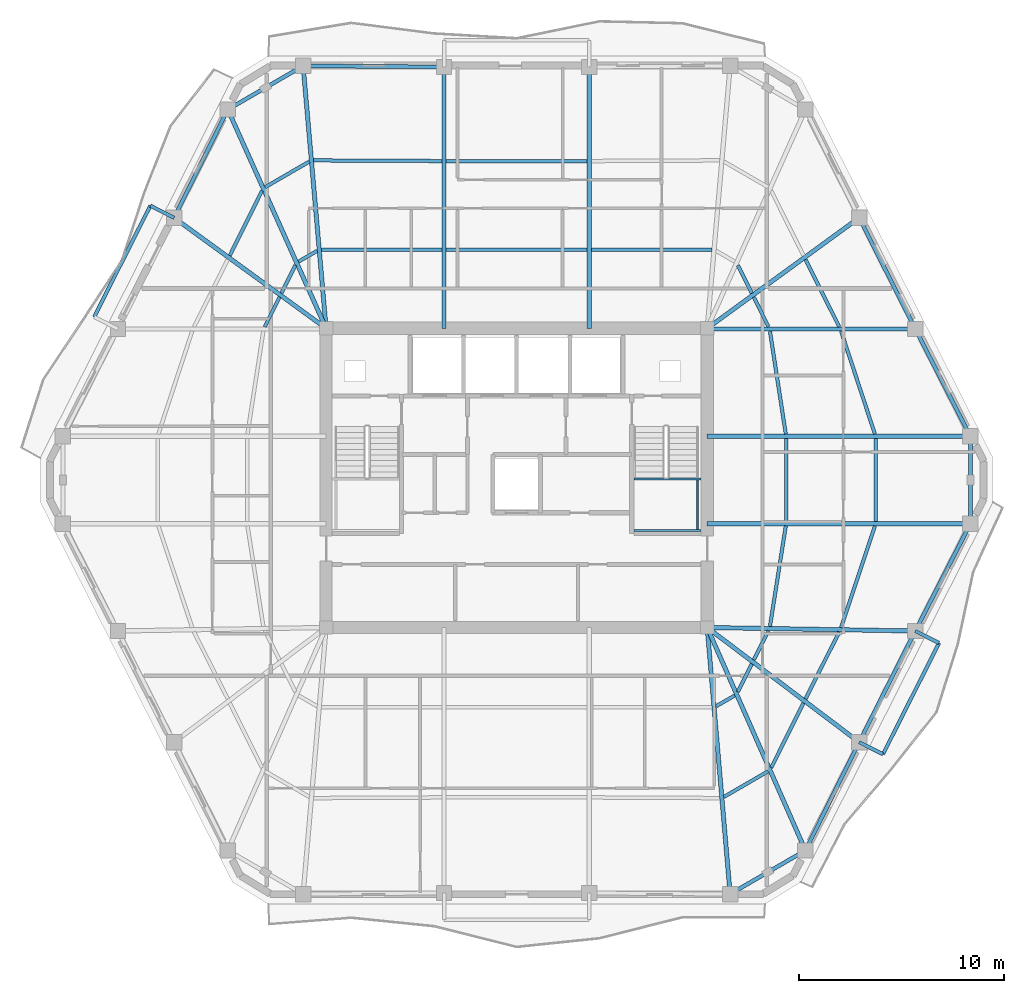
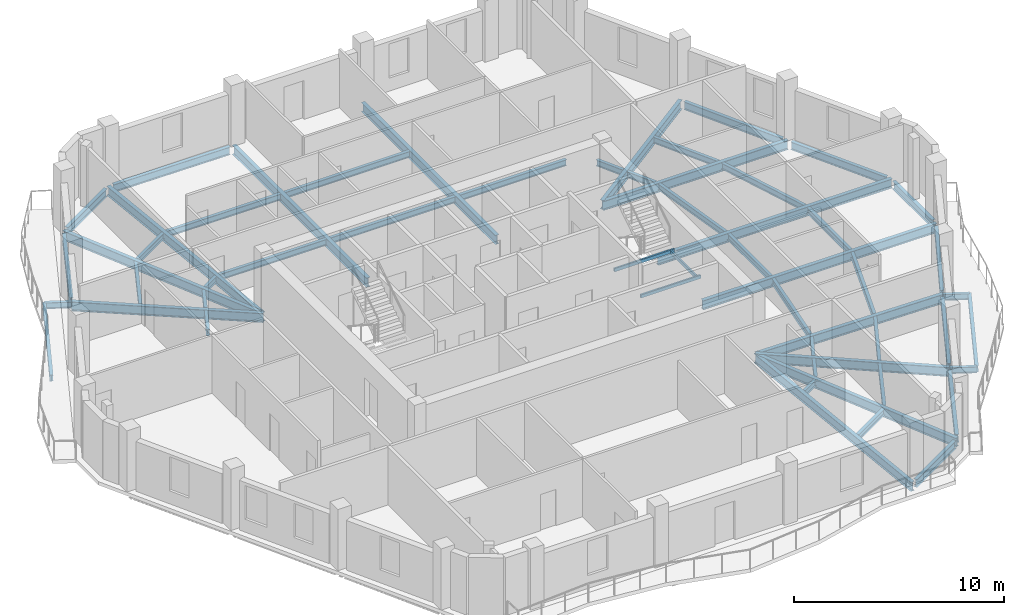
# One storey, part 2 of 9: 56 beams.
"""IFC4 building model written with IfcOpenShell, lengths in metres."""

from ifc_helpers import new_model, si_unit, direction, frame, origin, origin_2d, place, context, subcontext, project, spatial, hollow_rectangle, i_section, extrude, material, material_profile, profile_set, type_object, element, save


model = new_model("IFC4")

# Units and contexts
model_context = context("Model", 3, precision=1e-05, world=origin(), true_north=direction((0.0, 1.0)))
body_context = subcontext(model_context, "Body", "Model", "MODEL_VIEW")
ifc_project = project(units=[si_unit("LENGTHUNIT", "METRE"), si_unit("AREAUNIT", "SQUARE_METRE"), si_unit("VOLUMEUNIT", "CUBIC_METRE"), si_unit("PLANEANGLEUNIT", "RADIAN"), si_unit("MASSUNIT", "GRAM", prefix="KILO")], contexts=[model_context])

# Site, building, storey
site_placement = place(None, origin())
site = spatial("IfcSite", under=ifc_project, at=site_placement, CompositionType="ELEMENT")
building_placement = place(site_placement, origin())
building = spatial("IfcBuilding", under=site, at=building_placement, Name="Cinnabar Lancet Tower", CompositionType="ELEMENT")
storey_placement = place(building_placement, frame((0.0, 0.0, 207.39990234375)))
storey = spatial("IfcBuildingStorey", under=building, at=storey_placement, Name="L55", CompositionType="ELEMENT", Elevation=207.39990234375)

# Beams
ifc_material_1 = material(Name="Structural steel S355", Category="steel")
ifc_material_profile_1 = material_profile(ifc_material_1, i_section(OverallWidth=0.17138671875, OverallDepth=0.35498046875, WebThickness=0.00732421875, FlangeThickness=0.011474609375, FilletRadius=0.01025390625, at=origin_2d()), Name="UKB 356x171x51")
ifc_profile_set_1 = profile_set([ifc_material_profile_1], Name="Structural steel S355")
beam_type_1 = type_object("IfcBeamType", Name="STR-BM-JST-356", PredefinedType="JOIST", material=ifc_profile_set_1)
beam_1_placement = place(storey_placement, frame((42.51708984375, 10.3310546875, -0.3779296875), z_axis=(0.865267839663, 0.501309849937, 0.0), x_axis=(-0.501309849937, 0.865267839663, 0.0)))
element("IfcBeam", 1, at=beam_1_placement, inside=storey, type_object=beam_type_1, Name="L55 Secondary Floor Joist 15", PredefinedType="JOIST", context=body_context, shape_type="SweptSolid", body=[
    extrude(i_section(OverallWidth=0.17138671875, OverallDepth=0.35498046875, WebThickness=0.00732421875, FlangeThickness=0.011474609375, FilletRadius=0.01025390625, at=origin_2d()), origin(), (0.0, 0.0, 1.0), 2.497314453125),
])
beam_2_placement = place(storey_placement, frame((42.135986328125, 14.7548828125, -0.3779296875), z_axis=(0.8651881055, 0.501447446998, 0.0), x_axis=(-0.501447446998, 0.8651881055, 0.0)))
element("IfcBeam", 2, at=beam_2_placement, inside=storey, type_object=beam_type_1, Name="L55 Secondary Floor Joist 16", PredefinedType="JOIST", context=body_context, shape_type="SweptSolid", body=[
    extrude(i_section(OverallWidth=0.17138671875, OverallDepth=0.35498046875, WebThickness=0.00732421875, FlangeThickness=0.011474609375, FilletRadius=0.01025390625, at=origin_2d()), origin(), (0.0, 0.0, 1.0), 1.05322265625),
])
beam_3_placement = place(storey_placement, frame((44.8291015625, 11.758056640625, -0.3779296875), z_axis=(0.445027906173, 0.895516701534, 0.0), x_axis=(-0.895516701534, 0.445027906173, 0.0)))
element("IfcBeam", 3, at=beam_3_placement, inside=storey, type_object=beam_type_1, Name="L55 Secondary Floor Joist 17", PredefinedType="JOIST", context=body_context, shape_type="SweptSolid", body=[
    extrude(i_section(OverallWidth=0.17138671875, OverallDepth=0.35498046875, WebThickness=0.00732421875, FlangeThickness=0.011474609375, FilletRadius=0.01025390625, at=origin_2d()), origin(), (0.0, 0.0, 1.0), 3.531982421875),
])
beam_4_placement = place(storey_placement, frame((43.198974609375, 15.45703125, -0.3779296875), z_axis=(0.444589856968, 0.895734256954, 0.0), x_axis=(-0.895734256954, 0.444589856968, 0.0)))
element("IfcBeam", 4, at=beam_4_placement, inside=storey, type_object=beam_type_1, Name="L55 Secondary Floor Joist 18", PredefinedType="JOIST", context=body_context, shape_type="SweptSolid", body=[
    extrude(i_section(OverallWidth=0.17138671875, OverallDepth=0.35498046875, WebThickness=0.00732421875, FlangeThickness=0.011474609375, FilletRadius=0.01025390625, at=origin_2d()), origin(), (0.0, 0.0, 1.0), 1.527099609375),
])
beam_5_placement = place(storey_placement, frame((46.49609375, 15.112060546875, -0.3779296875), z_axis=(0.450564728728, 0.892743762357, 0.0), x_axis=(-0.892743762357, 0.450564728728, 0.0)))
element("IfcBeam", 5, at=beam_5_placement, inside=storey, type_object=beam_type_1, Name="L55 Secondary Floor Joist 19", PredefinedType="JOIST", context=body_context, shape_type="SweptSolid", body=[
    extrude(i_section(OverallWidth=0.17138671875, OverallDepth=0.35498046875, WebThickness=0.00732421875, FlangeThickness=0.011474609375, FilletRadius=0.01025390625, at=origin_2d()), origin(), (0.0, 0.0, 1.0), 3.66845703125),
])
beam_6_placement = place(storey_placement, frame((43.97412109375, 17.014892578125, -0.3779296875), z_axis=(0.450137936259, 0.892959035085, 0.0), x_axis=(-0.892959035085, 0.450137936259, 0.0)))
element("IfcBeam", 6, at=beam_6_placement, inside=storey, type_object=beam_type_1, Name="L55 Secondary Floor Joist 20", PredefinedType="JOIST", context=body_context, shape_type="SweptSolid", body=[
    extrude(i_section(OverallWidth=0.17138671875, OverallDepth=0.35498046875, WebThickness=0.00732421875, FlangeThickness=0.011474609375, FilletRadius=0.01025390625, at=origin_2d()), origin(), (0.0, 0.0, 1.0), 1.6015625),
])
beam_7_placement = place(storey_placement, frame((48.236083984375, 18.594970703125, -0.3779296875), z_axis=(0.315346227037, 0.948976689436, 0.0), x_axis=(-0.948976689436, 0.315346227037, 0.0)))
element("IfcBeam", 7, at=beam_7_placement, inside=storey, type_object=beam_type_1, Name="L55 Secondary Floor Joist 21", PredefinedType="JOIST", context=body_context, shape_type="SweptSolid", body=[
    extrude(i_section(OverallWidth=0.17138671875, OverallDepth=0.35498046875, WebThickness=0.00732421875, FlangeThickness=0.011474609375, FilletRadius=0.01025390625, at=origin_2d()), origin(), (0.0, 0.0, 1.0), 5.235107421875),
])
beam_8_placement = place(storey_placement, frame((44.763916015625, 18.653076171875, -0.3779296875), z_axis=(0.155750702097, 0.987796395416, 0.0), x_axis=(-0.987796395416, 0.155750702097, 0.0)))
element("IfcBeam", 8, at=beam_8_placement, inside=storey, type_object=beam_type_1, Name="L55 Secondary Floor Joist 22", PredefinedType="JOIST", context=body_context, shape_type="SweptSolid", body=[
    extrude(i_section(OverallWidth=0.17138671875, OverallDepth=0.35498046875, WebThickness=0.00732421875, FlangeThickness=0.011474609375, FilletRadius=0.01025390625, at=origin_2d()), origin(), (0.0, 0.0, 1.0), 4.970458984375),
])
for number, where, z_axis, x_axis, name in (
    (9, (49.922119140625, 23.77294921875, -0.3779296875), (0.0, 1.0, 0.0), (-1.0, 0.0, 0.0), "L55 Secondary Floor Joist 23"),
    (10, (45.553955078125, 23.77294921875, -0.3779296875), (0.0, 1.0, 0.0), (-1.0, 0.0, 0.0), "L55 Secondary Floor Joist 24"),
):
    element("IfcBeam", number, at=place(storey_placement, frame(where, z_axis=z_axis, x_axis=x_axis)), inside=storey, type_object=beam_type_1, Name=name, PredefinedType="JOIST", context=body_context, shape_type="SweptSolid", body=[
        extrude(i_section(OverallWidth=0.17138671875, OverallDepth=0.35498046875, WebThickness=0.00732421875, FlangeThickness=0.011474609375, FilletRadius=0.01025390625, at=origin_2d()), origin(), (0.0, 0.0, 1.0), 4.053955078125),
    ])
beam_9_placement = place(storey_placement, frame((49.887939453125, 28.037109375, -0.3779296875), z_axis=(-0.312240109925, 0.95000321776, 0.0), x_axis=(-0.95000321776, -0.312240109925, 0.0)))
element("IfcBeam", 11, at=beam_9_placement, inside=storey, type_object=beam_type_1, Name="L55 Secondary Floor Joist 25", PredefinedType="JOIST", context=body_context, shape_type="SweptSolid", body=[
    extrude(i_section(OverallWidth=0.17138671875, OverallDepth=0.35498046875, WebThickness=0.00732421875, FlangeThickness=0.011474609375, FilletRadius=0.01025390625, at=origin_2d()), origin(), (0.0, 0.0, 1.0), 5.29345703125),
])
beam_10_placement = place(storey_placement, frame((45.5380859375, 28.037109375, -0.3779296875), z_axis=(-0.152154536592, 0.98835671546, 0.0), x_axis=(-0.98835671546, -0.152154536592, 0.0)))
element("IfcBeam", 12, at=beam_10_placement, inside=storey, type_object=beam_type_1, Name="L55 Secondary Floor Joist 26", PredefinedType="JOIST", context=body_context, shape_type="SweptSolid", body=[
    extrude(i_section(OverallWidth=0.17138671875, OverallDepth=0.35498046875, WebThickness=0.00732421875, FlangeThickness=0.011474609375, FilletRadius=0.01025390625, at=origin_2d()), origin(), (0.0, 0.0, 1.0), 5.088134765625),
])
beam_11_placement = place(storey_placement, frame((48.14794921875, 33.27587890625, -0.3779296875), z_axis=(-0.449230875134, 0.893415704376, 0.0), x_axis=(-0.893415704376, -0.449230875134, 0.0)))
element("IfcBeam", 13, at=beam_11_placement, inside=storey, type_object=beam_type_1, Name="L55 Secondary Floor Joist 27", PredefinedType="JOIST", context=body_context, shape_type="SweptSolid", body=[
    extrude(i_section(OverallWidth=0.17138671875, OverallDepth=0.35498046875, WebThickness=0.00732421875, FlangeThickness=0.011474609375, FilletRadius=0.01025390625, at=origin_2d()), origin(), (0.0, 0.0, 1.0), 3.677001953125),
])
beam_12_placement = place(storey_placement, frame((44.695068359375, 33.27587890625, -0.3779296875), z_axis=(-0.446006949597, 0.89502949723, 0.0), x_axis=(-0.89502949723, -0.446006949597, 0.0)))
element("IfcBeam", 14, at=beam_12_placement, inside=storey, type_object=beam_type_1, Name="L55 Secondary Floor Joist 28", PredefinedType="JOIST", context=body_context, shape_type="SweptSolid", body=[
    extrude(i_section(OverallWidth=0.17138671875, OverallDepth=0.35498046875, WebThickness=0.00732421875, FlangeThickness=0.011474609375, FilletRadius=0.01025390625, at=origin_2d()), origin(), (0.0, 0.0, 1.0), 1.619140625),
])
beam_13_placement = place(storey_placement, frame((43.8779296875, 34.9150390625, -0.3779296875), z_axis=(-0.444589856968, 0.895734256954, 0.0), x_axis=(-0.895734256954, -0.444589856968, 0.0)))
element("IfcBeam", 15, at=beam_13_placement, inside=storey, type_object=beam_type_1, Name="L55 Secondary Floor Joist 30", PredefinedType="JOIST", context=body_context, shape_type="SweptSolid", body=[
    extrude(i_section(OverallWidth=0.17138671875, OverallDepth=0.35498046875, WebThickness=0.00732421875, FlangeThickness=0.011474609375, FilletRadius=0.01025390625, at=origin_2d()), origin(), (0.0, 0.0, 1.0), 1.527099609375),
])
beam_14_placement = place(storey_placement, frame((41.930908203125, 37.04296875, -0.3779296875), z_axis=(-0.999996795667, -0.002531532393, 0.0), x_axis=(0.002531532393, -0.999996795667, 0.0)))
element("IfcBeam", 16, at=beam_14_placement, inside=storey, type_object=beam_type_1, Name="L55 Secondary Floor Joist 34", PredefinedType="JOIST", context=body_context, shape_type="SweptSolid", body=[
    extrude(i_section(OverallWidth=0.17138671875, OverallDepth=0.35498046875, WebThickness=0.00732421875, FlangeThickness=0.011474609375, FilletRadius=0.01025390625, at=origin_2d()), origin(), (0.0, 0.0, 1.0), 5.8828125),
])
for number, where, z_axis, x_axis, name in (
    (17, (35.837890625, 41.364990234375, -0.3779296875), (-1.0, 0.0, 0.0), (0.0, -1.0, 0.0), "L55 Secondary Floor Joist 35"),
    (18, (35.837890625, 37.027099609375, -0.3779296875), (-1.0, 0.0, 0.0), (0.0, -1.0, 0.0), "L55 Secondary Floor Joist 36"),
):
    element("IfcBeam", number, at=place(storey_placement, frame(where, z_axis=z_axis, x_axis=x_axis)), inside=storey, type_object=beam_type_1, Name=name, PredefinedType="JOIST", context=body_context, shape_type="SweptSolid", body=[
        extrude(i_section(OverallWidth=0.17138671875, OverallDepth=0.35498046875, WebThickness=0.00732421875, FlangeThickness=0.011474609375, FilletRadius=0.01025390625, at=origin_2d()), origin(), (0.0, 0.0, 1.0), 6.8759765625),
    ])
beam_15_placement = place(storey_placement, frame((28.751953125, 41.365966796875, -0.3779296875), z_axis=(-0.999986965561, 0.005105752523, 0.0), x_axis=(-0.005105752523, -0.999986965561, 0.0)))
element("IfcBeam", 19, at=beam_15_placement, inside=storey, type_object=beam_type_1, Name="L55 Secondary Floor Joist 37", PredefinedType="JOIST", context=body_context, shape_type="SweptSolid", body=[
    extrude(i_section(OverallWidth=0.17138671875, OverallDepth=0.35498046875, WebThickness=0.00732421875, FlangeThickness=0.011474609375, FilletRadius=0.01025390625, at=origin_2d()), origin(), (0.0, 0.0, 1.0), 6.263916015625),
])
beam_16_placement = place(storey_placement, frame((28.751953125, 37.028076171875, -0.3779296875), z_axis=(-0.999996795933, 0.002531427338, 0.0), x_axis=(-0.002531427338, -0.999996795933, 0.0)))
element("IfcBeam", 20, at=beam_16_placement, inside=storey, type_object=beam_type_1, Name="L55 Secondary Floor Joist 38", PredefinedType="JOIST", context=body_context, shape_type="SweptSolid", body=[
    extrude(i_section(OverallWidth=0.17138671875, OverallDepth=0.35498046875, WebThickness=0.00732421875, FlangeThickness=0.011474609375, FilletRadius=0.01025390625, at=origin_2d()), origin(), (0.0, 0.0, 1.0), 5.883056640625),
])
beam_17_placement = place(storey_placement, frame((22.282958984375, 41.341064453125, -0.3779296875), z_axis=(-0.865267839663, -0.501309849937, 0.0), x_axis=(0.501309849937, -0.865267839663, 0.0)))
element("IfcBeam", 21, at=beam_17_placement, inside=storey, type_object=beam_type_1, Name="L55 Secondary Floor Joist 39", PredefinedType="JOIST", context=body_context, shape_type="SweptSolid", body=[
    extrude(i_section(OverallWidth=0.17138671875, OverallDepth=0.35498046875, WebThickness=0.00732421875, FlangeThickness=0.011474609375, FilletRadius=0.01025390625, at=origin_2d()), origin(), (0.0, 0.0, 1.0), 2.497314453125),
])
beam_18_placement = place(storey_placement, frame((22.6640625, 36.985107421875, -0.3779296875), z_axis=(-0.8651881055, -0.501447446998, 0.0), x_axis=(0.501447446998, -0.8651881055, 0.0)))
element("IfcBeam", 22, at=beam_18_placement, inside=storey, type_object=beam_type_1, Name="L55 Secondary Floor Joist 40", PredefinedType="JOIST", context=body_context, shape_type="SweptSolid", body=[
    extrude(i_section(OverallWidth=0.17138671875, OverallDepth=0.35498046875, WebThickness=0.00732421875, FlangeThickness=0.011474609375, FilletRadius=0.01025390625, at=origin_2d()), origin(), (0.0, 0.0, 1.0), 1.05322265625),
])
beam_19_placement = place(storey_placement, frame((19.970947265625, 39.9150390625, -0.3779296875), z_axis=(-0.444835507887, -0.895612288283, 0.0), x_axis=(0.895612288283, -0.444835507887, 0.0)))
element("IfcBeam", 23, at=beam_19_placement, inside=storey, type_object=beam_type_1, Name="L55 Secondary Floor Joist 41", PredefinedType="JOIST", context=body_context, shape_type="SweptSolid", body=[
    extrude(i_section(OverallWidth=0.17138671875, OverallDepth=0.35498046875, WebThickness=0.00732421875, FlangeThickness=0.011474609375, FilletRadius=0.01025390625, at=origin_2d()), origin(), (0.0, 0.0, 1.0), 3.533935546875),
])
beam_20_placement = place(storey_placement, frame((21.60107421875, 36.282958984375, -0.3779296875), z_axis=(-0.444589856968, -0.895734256954, 0.0), x_axis=(0.895734256954, -0.444589856968, 0.0)))
element("IfcBeam", 24, at=beam_20_placement, inside=storey, type_object=beam_type_1, Name="L55 Secondary Floor Joist 42", PredefinedType="JOIST", context=body_context, shape_type="SweptSolid", body=[
    extrude(i_section(OverallWidth=0.17138671875, OverallDepth=0.35498046875, WebThickness=0.00732421875, FlangeThickness=0.011474609375, FilletRadius=0.01025390625, at=origin_2d()), origin(), (0.0, 0.0, 1.0), 1.527099609375),
])
beam_21_placement = place(storey_placement, frame((20.826904296875, 34.72509765625, -0.3779296875), z_axis=(-0.44588615098, -0.895089682861, 0.0), x_axis=(0.895089682861, -0.44588615098, 0.0)))
element("IfcBeam", 25, at=beam_21_placement, inside=storey, type_object=beam_type_1, Name="L55 Secondary Floor Joist 44", PredefinedType="JOIST", context=body_context, shape_type="SweptSolid", body=[
    extrude(i_section(OverallWidth=0.17138671875, OverallDepth=0.35498046875, WebThickness=0.00732421875, FlangeThickness=0.011474609375, FilletRadius=0.01025390625, at=origin_2d()), origin(), (0.0, 0.0, 1.0), 1.619140625),
])
ifc_material_2 = material(Name="Structural steel S355", Category="steel")
ifc_material_profile_2 = material_profile(ifc_material_2, hollow_rectangle(XDim=0.10009765625, YDim=0.199951171875, WallThickness=0.008056640625, InnerFilletRadius=0.00390625, OuterFilletRadius=0.011962890625, at=origin_2d()), Name="RHS 200x100x8")
ifc_profile_set_2 = profile_set([ifc_material_profile_2], Name="Structural steel S355")
beam_type_2 = type_object("IfcBeamType", Name="STR-BM-LND-203", PredefinedType="BEAM", material=ifc_profile_set_2)
for number, where, z_axis, x_axis, name in (
    (26, (38.1201171875, 23.330078125, 1.47509765625), (1.0, 0.0, 0.0), (0.0, 1.0, 0.0), "L55 ST-2-L55 Landing Support Beam S"),
    (27, (38.1201171875, 25.844970703125, 1.47509765625), (1.0, 0.0, 0.0), (0.0, 1.0, 0.0), "L55 ST-2-L55 Landing Support Beam N"),
):
    element("IfcBeam", number, at=place(storey_placement, frame(where, z_axis=z_axis, x_axis=x_axis)), inside=storey, type_object=beam_type_2, Name=name, PredefinedType="BEAM", context=body_context, shape_type="SweptSolid", body=[
        extrude(hollow_rectangle(XDim=0.10009765625, YDim=0.199951171875, WallThickness=0.008056640625, InnerFilletRadius=0.00390625, OuterFilletRadius=0.011962890625, at=origin_2d()), origin(), (0.0, 0.0, 1.0), 3.27978515625),
    ])
beam_22_placement = place(storey_placement, frame((41.219970703125, 23.3798828125, 1.47509765625), z_axis=(0.0, 1.0, 0.0), x_axis=(-1.0, 0.0, 0.0)))
element("IfcBeam", 28, at=beam_22_placement, inside=storey, type_object=beam_type_2, Name="L55 ST-2-L55 Landing Side Trimmer Beam", PredefinedType="BEAM", context=body_context, shape_type="SweptSolid", body=[
    extrude(hollow_rectangle(XDim=0.10009765625, YDim=0.199951171875, WallThickness=0.008056640625, InnerFilletRadius=0.00390625, OuterFilletRadius=0.011962890625, at=origin_2d()), origin(), (0.0, 0.0, 1.0), 2.4150390625),
])
ifc_material_3 = material(Name="Structural steel S355", Category="steel")
ifc_material_profile_3 = material_profile(ifc_material_3, i_section(OverallWidth=0.1904296875, OverallDepth=0.45703125, WebThickness=0.009033203125, FlangeThickness=0.014404296875, FilletRadius=0.01025390625, at=origin_2d()), Name="UKB 457x191x74")
ifc_profile_set_3 = profile_set([ifc_material_profile_3], Name="Structural steel S355")
beam_type_3 = type_object("IfcBeamType", Name="STR-BM-SPN-457", PredefinedType="SPANDREL", material=ifc_profile_set_3)
beam_23_placement = place(storey_placement, frame((43.037109375, 5.714111328125, -0.428955078125), z_axis=(0.865195717586, 0.501434313016, 0.0), x_axis=(-0.501434313016, 0.865195717586, 0.0)))
element("IfcBeam", 29, at=beam_23_placement, inside=storey, type_object=beam_type_3, Name="L55 Perimeter Spandrel 4", PredefinedType="SPANDREL", context=body_context, shape_type="SweptSolid", body=[
    extrude(i_section(OverallWidth=0.1904296875, OverallDepth=0.45703125, WebThickness=0.009033203125, FlangeThickness=0.014404296875, FilletRadius=0.01025390625, at=origin_2d()), origin(), (0.0, 0.0, 1.0), 3.7470703125),
])
beam_24_placement = place(storey_placement, frame((46.60595703125, 7.94189453125, -0.428955078125), z_axis=(0.444914968367, 0.895572817208, 0.0), x_axis=(-0.895572817208, 0.444914968367, 0.0)))
element("IfcBeam", 30, at=beam_24_placement, inside=storey, type_object=beam_type_3, Name="L55 Perimeter Spandrel 5", PredefinedType="SPANDREL", context=body_context, shape_type="SweptSolid", body=[
    extrude(i_section(OverallWidth=0.1904296875, OverallDepth=0.45703125, WebThickness=0.009033203125, FlangeThickness=0.014404296875, FilletRadius=0.01025390625, at=origin_2d()), origin(), (0.0, 0.0, 1.0), 5.39892578125),
])
beam_25_placement = place(storey_placement, frame((49.23193359375, 13.22412109375, -0.428955078125), z_axis=(0.450395996562, 0.892828900899, 0.0), x_axis=(-0.892828900899, 0.450395996562, 0.0)))
element("IfcBeam", 31, at=beam_25_placement, inside=storey, type_object=beam_type_3, Name="L55 Perimeter Spandrel 6", PredefinedType="SPANDREL", context=body_context, shape_type="SweptSolid", body=[
    extrude(i_section(OverallWidth=0.1904296875, OverallDepth=0.45703125, WebThickness=0.009033203125, FlangeThickness=0.014404296875, FilletRadius=0.01025390625, at=origin_2d()), origin(), (0.0, 0.0, 1.0), 5.579833984375),
])
beam_26_placement = place(storey_placement, frame((51.971923828125, 18.65087890625, -0.428955078125), z_axis=(0.456628362232, 0.889657540184, 0.0), x_axis=(-0.889657540184, 0.456628362232, 0.0)))
element("IfcBeam", 32, at=beam_26_placement, inside=storey, type_object=beam_type_3, Name="L55 Perimeter Spandrel 7", PredefinedType="SPANDREL", context=body_context, shape_type="SweptSolid", body=[
    extrude(i_section(OverallWidth=0.1904296875, OverallDepth=0.45703125, WebThickness=0.009033203125, FlangeThickness=0.014404296875, FilletRadius=0.01025390625, at=origin_2d()), origin(), (0.0, 0.0, 1.0), 5.389892578125),
])
beam_27_placement = place(storey_placement, frame((54.547119140625, 23.91796875, -0.428955078125), z_axis=(0.0, 1.0, 0.0), x_axis=(-1.0, 0.0, 0.0)))
element("IfcBeam", 33, at=beam_27_placement, inside=storey, type_object=beam_type_3, Name="L55 Perimeter Spandrel 8", PredefinedType="SPANDREL", context=body_context, shape_type="SweptSolid", body=[
    extrude(i_section(OverallWidth=0.1904296875, OverallDepth=0.45703125, WebThickness=0.009033203125, FlangeThickness=0.014404296875, FilletRadius=0.01025390625, at=origin_2d()), origin(), (0.0, 0.0, 1.0), 3.763916015625),
])
beam_28_placement = place(storey_placement, frame((54.43310546875, 28.154052734375, -0.428955078125), z_axis=(-0.456646764028, 0.889648094981, 0.0), x_axis=(-0.889648094981, -0.456646764028, 0.0)))
element("IfcBeam", 34, at=beam_28_placement, inside=storey, type_object=beam_type_3, Name="L55 Perimeter Spandrel 9", PredefinedType="SPANDREL", context=body_context, shape_type="SweptSolid", body=[
    extrude(i_section(OverallWidth=0.1904296875, OverallDepth=0.45703125, WebThickness=0.009033203125, FlangeThickness=0.014404296875, FilletRadius=0.01025390625, at=origin_2d()), origin(), (0.0, 0.0, 1.0), 5.3896484375),
])
beam_29_placement = place(storey_placement, frame((51.7451171875, 33.39404296875, -0.428955078125), z_axis=(-0.450395996562, 0.892828900899, 0.0), x_axis=(-0.892828900899, -0.450395996562, 0.0)))
element("IfcBeam", 35, at=beam_29_placement, inside=storey, type_object=beam_type_3, Name="L55 Perimeter Spandrel 10", PredefinedType="SPANDREL", context=body_context, shape_type="SweptSolid", body=[
    extrude(i_section(OverallWidth=0.1904296875, OverallDepth=0.45703125, WebThickness=0.009033203125, FlangeThickness=0.014404296875, FilletRadius=0.01025390625, at=origin_2d()), origin(), (0.0, 0.0, 1.0), 5.579833984375),
])
beam_30_placement = place(storey_placement, frame((28.60693359375, 45.9599609375, -0.428955078125), z_axis=(-0.999970401924, 0.007693846685, 0.0), x_axis=(-0.007693846685, -0.999970401924, 0.0)))
element("IfcBeam", 36, at=beam_30_placement, inside=storey, type_object=beam_type_3, Name="L55 Perimeter Spandrel 15", PredefinedType="SPANDREL", context=body_context, shape_type="SweptSolid", body=[
    extrude(i_section(OverallWidth=0.1904296875, OverallDepth=0.45703125, WebThickness=0.009033203125, FlangeThickness=0.014404296875, FilletRadius=0.01025390625, at=origin_2d()), origin(), (0.0, 0.0, 1.0), 6.378173828125),
])
beam_31_placement = place(storey_placement, frame((21.762939453125, 45.885986328125, -0.428955078125), z_axis=(-0.865195717586, -0.501434313016, 0.0), x_axis=(0.501434313016, -0.865195717586, 0.0)))
element("IfcBeam", 37, at=beam_31_placement, inside=storey, type_object=beam_type_3, Name="L55 Perimeter Spandrel 16", PredefinedType="SPANDREL", context=body_context, shape_type="SweptSolid", body=[
    extrude(i_section(OverallWidth=0.1904296875, OverallDepth=0.45703125, WebThickness=0.009033203125, FlangeThickness=0.014404296875, FilletRadius=0.01025390625, at=origin_2d()), origin(), (0.0, 0.0, 1.0), 3.7470703125),
])
beam_32_placement = place(storey_placement, frame((18.194091796875, 43.657958984375, -0.428955078125), z_axis=(-0.444932986899, -0.895563865489, 0.0), x_axis=(0.895563865489, -0.444932986899, 0.0)))
element("IfcBeam", 38, at=beam_32_placement, inside=storey, type_object=beam_type_3, Name="L55 Perimeter Spandrel 17", PredefinedType="SPANDREL", context=body_context, shape_type="SweptSolid", body=[
    extrude(i_section(OverallWidth=0.1904296875, OverallDepth=0.45703125, WebThickness=0.009033203125, FlangeThickness=0.014404296875, FilletRadius=0.01025390625, at=origin_2d()), origin(), (0.0, 0.0, 1.0), 5.398681640625),
])
ifc_material_4 = material(Name="Structural steel S355", Category="steel")
ifc_material_profile_4 = material_profile(ifc_material_4, i_section(OverallWidth=0.209228515625, OverallDepth=0.533203125, WebThickness=0.010009765625, FlangeThickness=0.015625, FilletRadius=0.0126953125, at=origin_2d()), Name="UKB 533x210x92")
ifc_profile_set_4 = profile_set([ifc_material_profile_4], Name="Structural steel S355")
beam_type_4 = type_object("IfcBeamType", Name="STR-BM-UKB533-92", PredefinedType="BEAM", material=ifc_profile_set_4)
beam_33_placement = place(storey_placement, frame((49.118896484375, 13.0009765625, -0.466796875), z_axis=(-0.798193439732, 0.602401222417, 0.0), x_axis=(-0.602401222417, -0.798193439732, 0.0)))
element("IfcBeam", 39, at=beam_33_placement, inside=storey, type_object=beam_type_4, Name="L55 Corner Collector Girder 2", PredefinedType="BEAM", context=body_context, shape_type="SweptSolid", body=[
    extrude(i_section(OverallWidth=0.209228515625, OverallDepth=0.533203125, WebThickness=0.010009765625, FlangeThickness=0.015625, FilletRadius=0.0126953125, at=origin_2d()), origin(), (0.0, 0.0, 1.0), 9.294677734375),
])
beam_34_placement = place(storey_placement, frame((49.118896484375, 38.59912109375, -0.466796875), z_axis=(-0.808550797984, -0.588426382039, 0.0), x_axis=(0.588426382039, -0.808550797984, 0.0)))
element("IfcBeam", 40, at=beam_34_placement, inside=storey, type_object=beam_type_4, Name="L55 Corner Collector Girder 3", PredefinedType="BEAM", context=body_context, shape_type="SweptSolid", body=[
    extrude(i_section(OverallWidth=0.209228515625, OverallDepth=0.533203125, WebThickness=0.010009765625, FlangeThickness=0.015625, FilletRadius=0.0126953125, at=origin_2d()), origin(), (0.0, 0.0, 1.0), 9.175537109375),
])
beam_35_placement = place(storey_placement, frame((15.680908203125, 38.59912109375, -0.466796875), z_axis=(0.80856001044, -0.588413723087, 0.0), x_axis=(0.588413723087, 0.80856001044, 0.0)))
element("IfcBeam", 41, at=beam_35_placement, inside=storey, type_object=beam_type_4, Name="L55 Corner Collector Girder 4", PredefinedType="BEAM", context=body_context, shape_type="SweptSolid", body=[
    extrude(i_section(OverallWidth=0.209228515625, OverallDepth=0.533203125, WebThickness=0.010009765625, FlangeThickness=0.015625, FilletRadius=0.0126953125, at=origin_2d()), origin(), (0.0, 0.0, 1.0), 9.17578125),
])
beam_36_placement = place(storey_placement, frame((42.821044921875, 5.589111328125, -0.466796875), z_axis=(-0.085847068729, 0.996308326167, 0.0), x_axis=(-0.996308326167, -0.085847068729, 0.0)))
element("IfcBeam", 42, at=beam_36_placement, inside=storey, type_object=beam_type_4, Name="L55 Primary Floor Girder 4", PredefinedType="BEAM", context=body_context, shape_type="SweptSolid", body=[
    extrude(i_section(OverallWidth=0.209228515625, OverallDepth=0.533203125, WebThickness=0.010009765625, FlangeThickness=0.015625, FilletRadius=0.0126953125, at=origin_2d()), origin(), (0.0, 0.0, 1.0), 13.05908203125),
])
beam_37_placement = place(storey_placement, frame((46.4951171875, 7.718017578125, -0.466796875), z_axis=(-0.403235299754, 0.915096329919, 0.0), x_axis=(-0.915096329919, -0.403235299754, 0.0)))
element("IfcBeam", 43, at=beam_37_placement, inside=storey, type_object=beam_type_4, Name="L55 Primary Floor Girder 5", PredefinedType="BEAM", context=body_context, shape_type="SweptSolid", body=[
    extrude(i_section(OverallWidth=0.209228515625, OverallDepth=0.533203125, WebThickness=0.010009765625, FlangeThickness=0.015625, FilletRadius=0.0126953125, at=origin_2d()), origin(), (0.0, 0.0, 1.0), 11.891845703125),
])
beam_38_placement = place(storey_placement, frame((51.85791015625, 18.428955078125, -0.466796875), z_axis=(-0.999858100525, 0.016845735777, 0.0), x_axis=(-0.016845735777, -0.999858100525, 0.0)))
element("IfcBeam", 44, at=beam_38_placement, inside=storey, type_object=beam_type_4, Name="L55 Primary Floor Girder 7", PredefinedType="BEAM", context=body_context, shape_type="SweptSolid", body=[
    extrude(i_section(OverallWidth=0.209228515625, OverallDepth=0.533203125, WebThickness=0.010009765625, FlangeThickness=0.015625, FilletRadius=0.0126953125, at=origin_2d()), origin(), (0.0, 0.0, 1.0), 10.159423828125),
])
for number, where, z_axis, x_axis, name in (
    (45, (54.547119140625, 23.66796875, -0.466796875), (-1.0, 0.0, 0.0), (0.0, -1.0, 0.0), "L55 Primary Floor Girder 8"),
    (46, (54.547119140625, 27.931884765625, -0.466796875), (-1.0, 0.0, 0.0), (0.0, -1.0, 0.0), "L55 Primary Floor Girder 9"),
):
    element("IfcBeam", number, at=place(storey_placement, frame(where, z_axis=z_axis, x_axis=x_axis)), inside=storey, type_object=beam_type_4, Name=name, PredefinedType="BEAM", context=body_context, shape_type="SweptSolid", body=[
        extrude(i_section(OverallWidth=0.209228515625, OverallDepth=0.533203125, WebThickness=0.010009765625, FlangeThickness=0.015625, FilletRadius=0.0126953125, at=origin_2d()), origin(), (0.0, 0.0, 1.0), 12.84716796875),
    ])
beam_39_placement = place(storey_placement, frame((51.85791015625, 33.1708984375, -0.466796875), z_axis=(-1.0, 0.0, 0.0), x_axis=(0.0, -1.0, 0.0)))
element("IfcBeam", 47, at=beam_39_placement, inside=storey, type_object=beam_type_4, Name="L55 Primary Floor Girder 10", PredefinedType="BEAM", context=body_context, shape_type="SweptSolid", body=[
    extrude(i_section(OverallWidth=0.209228515625, OverallDepth=0.533203125, WebThickness=0.010009765625, FlangeThickness=0.015625, FilletRadius=0.0126953125, at=origin_2d()), origin(), (0.0, 0.0, 1.0), 10.157958984375),
])
for number, where, z_axis, x_axis, name in (
    (48, (35.943115234375, 45.9580078125, -0.466796875), (0.0, -1.0, 0.0), (1.0, 0.0, 0.0), "L55 Primary Floor Girder 14"),
    (49, (28.85693359375, 45.9580078125, -0.466796875), (0.0, -1.0, 0.0), (1.0, 0.0, 0.0), "L55 Primary Floor Girder 15"),
):
    element("IfcBeam", number, at=place(storey_placement, frame(where, z_axis=z_axis, x_axis=x_axis)), inside=storey, type_object=beam_type_4, Name=name, PredefinedType="BEAM", context=body_context, shape_type="SweptSolid", body=[
        extrude(i_section(OverallWidth=0.209228515625, OverallDepth=0.533203125, WebThickness=0.010009765625, FlangeThickness=0.015625, FilletRadius=0.0126953125, at=origin_2d()), origin(), (0.0, 0.0, 1.0), 12.758056640625),
    ])
beam_40_placement = place(storey_placement, frame((21.97900390625, 46.010986328125, -0.466796875), z_axis=(0.087176841412, -0.996192851973, 0.0), x_axis=(0.996192851973, 0.087176841412, 0.0)))
element("IfcBeam", 50, at=beam_40_placement, inside=storey, type_object=beam_type_4, Name="L55 Primary Floor Girder 16", PredefinedType="BEAM", context=body_context, shape_type="SweptSolid", body=[
    extrude(i_section(OverallWidth=0.209228515625, OverallDepth=0.533203125, WebThickness=0.010009765625, FlangeThickness=0.015625, FilletRadius=0.0126953125, at=origin_2d()), origin(), (0.0, 0.0, 1.0), 12.860107421875),
])
beam_41_placement = place(storey_placement, frame((18.304931640625, 43.882080078125, -0.466796875), z_axis=(0.409527011626, -0.912297992297, 0.0), x_axis=(0.912297992297, 0.409527011626, 0.0)))
element("IfcBeam", 51, at=beam_41_placement, inside=storey, type_object=beam_type_4, Name="L55 Primary Floor Girder 17", PredefinedType="BEAM", context=body_context, shape_type="SweptSolid", body=[
    extrude(i_section(OverallWidth=0.209228515625, OverallDepth=0.533203125, WebThickness=0.010009765625, FlangeThickness=0.015625, FilletRadius=0.0126953125, at=origin_2d()), origin(), (0.0, 0.0, 1.0), 11.708984375),
])
ifc_material_5 = material(Name="Structural steel S355", Category="steel")
ifc_material_profile_5 = material_profile(ifc_material_5, i_section(OverallWidth=0.17138671875, OverallDepth=0.35498046875, WebThickness=0.00732421875, FlangeThickness=0.011474609375, FilletRadius=0.01025390625, at=origin_2d()), Name="UKB 356x171x51")
ifc_profile_set_5 = profile_set([ifc_material_profile_5], Name="Structural steel S355")
beam_type_5 = type_object("IfcBeamType", Name="STR-BM-WAV-OUT", PredefinedType="BEAM", material=ifc_profile_set_5)
for number, where, z_axis, x_axis, name in (
    (52, (49.118896484375, 13.0009765625, -0.39794921875), (0.892314203325, -0.451414845285, 0.0), (0.451414845285, 0.892314203325, 0.0), "L55 Face 2 Balcony Outlooker A"),
    (53, (51.85791015625, 18.428955078125, -0.39794921875), (0.892314203325, -0.451414845285, 0.0), (0.451414845285, 0.892314203325, 0.0), "L55 Face 2 Balcony Outlooker B"),
    (54, (15.680908203125, 38.59912109375, -0.39794921875), (-0.89227592947, 0.451490493464, 0.0), (-0.451490493464, -0.89227592947, 0.0), "L55 Face 5 Balcony Outlooker A"),
):
    element("IfcBeam", number, at=place(storey_placement, frame(where, z_axis=z_axis, x_axis=x_axis)), inside=storey, type_object=beam_type_5, Name=name, PredefinedType="BEAM", context=body_context, shape_type="SweptSolid", body=[
        extrude(i_section(OverallWidth=0.17138671875, OverallDepth=0.35498046875, WebThickness=0.00732421875, FlangeThickness=0.011474609375, FilletRadius=0.01025390625, at=origin_2d()), origin(), (0.0, 0.0, 1.0), 1.300048828125),
    ])
ifc_material_6 = material(Name="Structural steel S355", Category="steel")
ifc_material_profile_6 = material_profile(ifc_material_6, i_section(OverallWidth=0.17138671875, OverallDepth=0.35498046875, WebThickness=0.00732421875, FlangeThickness=0.011474609375, FilletRadius=0.01025390625, at=origin_2d()), Name="UKB 356x171x51")
ifc_profile_set_6 = profile_set([ifc_material_profile_6], Name="Structural steel S355")
beam_type_6 = type_object("IfcBeamType", Name="STR-BM-WAV-TRIM", PredefinedType="SPANDREL", material=ifc_profile_set_6)
for number, where, z_axis, x_axis, name in (
    (55, (50.279052734375, 12.4140625, -0.39794921875), (0.450503306898, 0.892774759093, 0.0), (-0.892774759093, 0.450503306898, 0.0), "L55 Face 2 Balcony Edge Trimmer"),
    (56, (14.52099609375, 39.18603515625, -0.39794921875), (-0.450503306898, -0.892774759093, 0.0), (0.892774759093, -0.450503306898, 0.0), "L55 Face 5 Balcony Edge Trimmer"),
):
    element("IfcBeam", number, at=place(storey_placement, frame(where, z_axis=z_axis, x_axis=x_axis)), inside=storey, type_object=beam_type_6, Name=name, PredefinedType="SPANDREL", context=body_context, shape_type="SweptSolid", body=[
        extrude(i_section(OverallWidth=0.17138671875, OverallDepth=0.35498046875, WebThickness=0.00732421875, FlangeThickness=0.011474609375, FilletRadius=0.01025390625, at=origin_2d()), origin(), (0.0, 0.0, 1.0), 6.079833984375),
    ])

save(model, "model.ifc")
